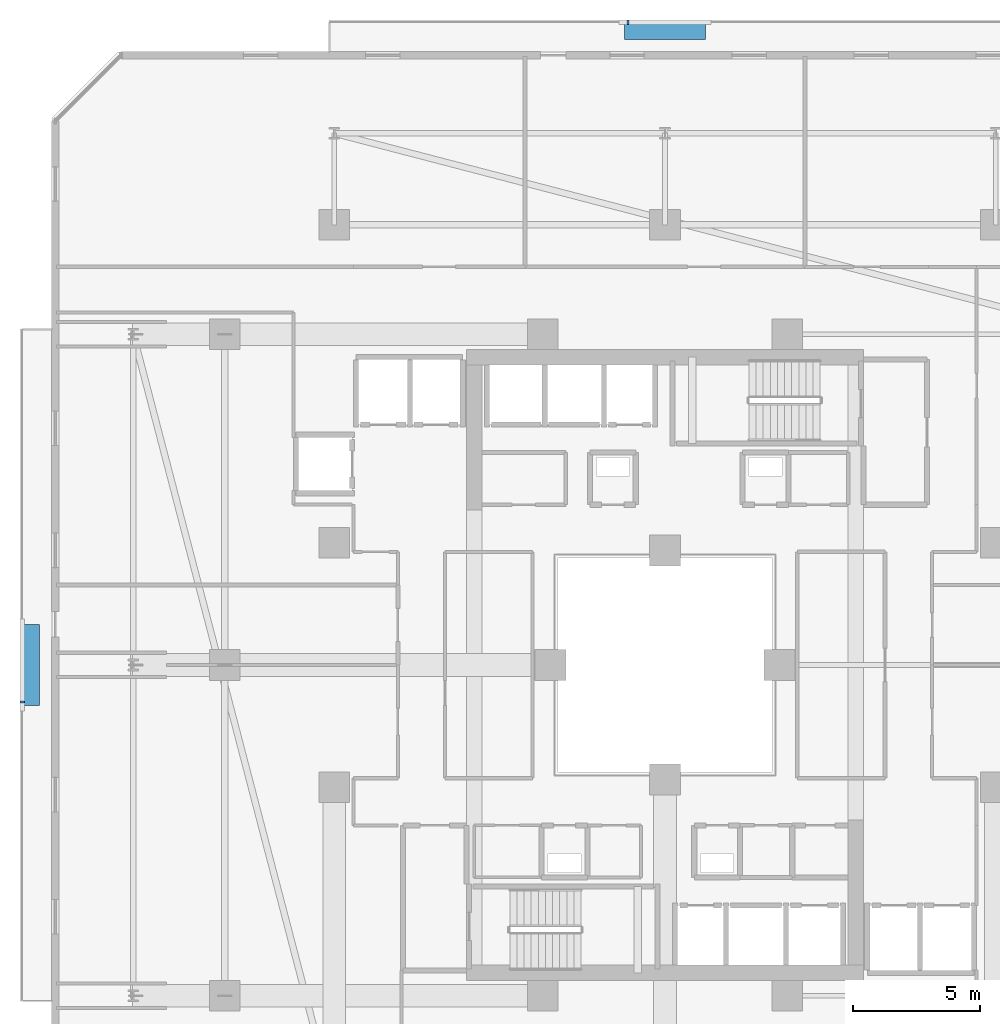
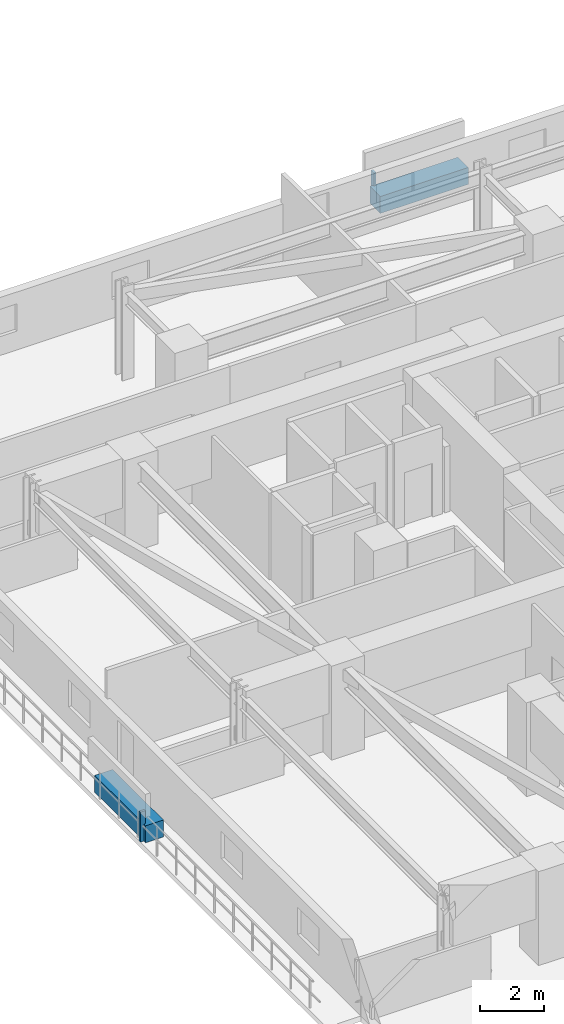
# One storey, part 31 of 36: 4 discrete accessories.
"""IFC4 building model written with IfcOpenShell, lengths in metres."""

from ifc_helpers import new_model, si_unit, direction, frame, origin, origin_2d, place, context, subcontext, project, spatial, rectangle, extrude, material, type_object, element, save


model = new_model("IFC4")

# Units and contexts
model_context = context("Model", 3, precision=1e-05, world=origin(), true_north=direction((0.0, 1.0)))
body_context = subcontext(model_context, "Body", "Model", "MODEL_VIEW")
ifc_project = project(units=[si_unit("LENGTHUNIT", "METRE"), si_unit("AREAUNIT", "SQUARE_METRE"), si_unit("VOLUMEUNIT", "CUBIC_METRE"), si_unit("PLANEANGLEUNIT", "RADIAN"), si_unit("MASSUNIT", "GRAM", prefix="KILO")], contexts=[model_context])

# Site, building, storey
site_placement = place(None, origin())
site = spatial("IfcSite", under=ifc_project, at=site_placement, CompositionType="ELEMENT")
building_placement = place(site_placement, origin())
building = spatial("IfcBuilding", under=site, at=building_placement, Name="Thornwick Lancets Civic Towers", CompositionType="ELEMENT")
storey_placement = place(building_placement, frame((0.0, 0.0, 116.10009765625)))
storey = spatial("IfcBuildingStorey", under=building, at=storey_placement, Name="L30", CompositionType="ELEMENT", Elevation=116.10009765625)

# Discrete accessories
ifc_material_1 = material(Name="Planted terracotta greenery planter", Category="masonry")
discrete_accessory_type_1 = type_object("IfcDiscreteAccessoryType", Name="ACC_PLANTER_BOX", PredefinedType="USERDEFINED", material=ifc_material_1)
discrete_accessory_1_placement = place(storey_placement, frame((25.5, 51.89990234375, 0.0), z_axis=(0.0, 0.0, 1.0), x_axis=(1.0, 0.0, 0.0)))
element("IfcDiscreteAccessory", 1, at=discrete_accessory_1_placement, inside=storey, type_object=discrete_accessory_type_1, Name="L30 Tower A Balcony Greenery Planter N", ObjectType="PLANTER", PredefinedType="USERDEFINED", context=body_context, shape_type="SweptSolid", body=[
    extrude(rectangle(XDim=3.199951171875, YDim=0.64990234375, at=origin_2d()), origin(), (0.0, 0.0, 1.0), 0.64990234375),
])
discrete_accessory_2_placement = place(storey_placement, frame((0.60009765625, 27.0, 0.0), z_axis=(0.0, 0.0, 1.0), x_axis=(1.0, 0.0, 0.0)))
element("IfcDiscreteAccessory", 2, at=discrete_accessory_2_placement, inside=storey, type_object=discrete_accessory_type_1, Name="L30 Tower A Balcony Greenery Planter W", ObjectType="PLANTER", PredefinedType="USERDEFINED", context=body_context, shape_type="SweptSolid", body=[
    extrude(rectangle(XDim=0.64990234375, YDim=3.199951171875, at=origin_2d()), origin(), (0.0, 0.0, 1.0), 0.64990234375),
])
ifc_material_2 = material(Name="Stainless steel S355", Category="steel")
discrete_accessory_type_2 = type_object("IfcDiscreteAccessoryType", Name="ACC_SCREEN_BRACKET", PredefinedType="BRACKET", material=ifc_material_2)
for number, where, z_axis, x_axis, name in (
    (3, (24.050048828125, 52.260009765625, 0.0), (0.0, 0.0, 1.0), (1.0, 0.0, 0.0), "L30 Tower A Balcony Screen Stanchion Bracket N-1"),
    (4, (0.239990234375, 25.550048828125, 0.0), (0.0, 0.0, 1.0), (0.0, 1.0, 0.0), "L30 Tower A Balcony Screen Stanchion Bracket W-1"),
):
    element("IfcDiscreteAccessory", number, at=place(storey_placement, frame(where, z_axis=z_axis, x_axis=x_axis)), inside=storey, type_object=discrete_accessory_type_2, Name=name, PredefinedType="BRACKET", context=body_context, shape_type="SweptSolid", body=[
        extrude(rectangle(XDim=0.080078125, YDim=0.179931640625, at=origin_2d()), origin(), (0.0, 0.0, 1.0), 1.14990234375),
    ])

save(model, "model.ifc")
